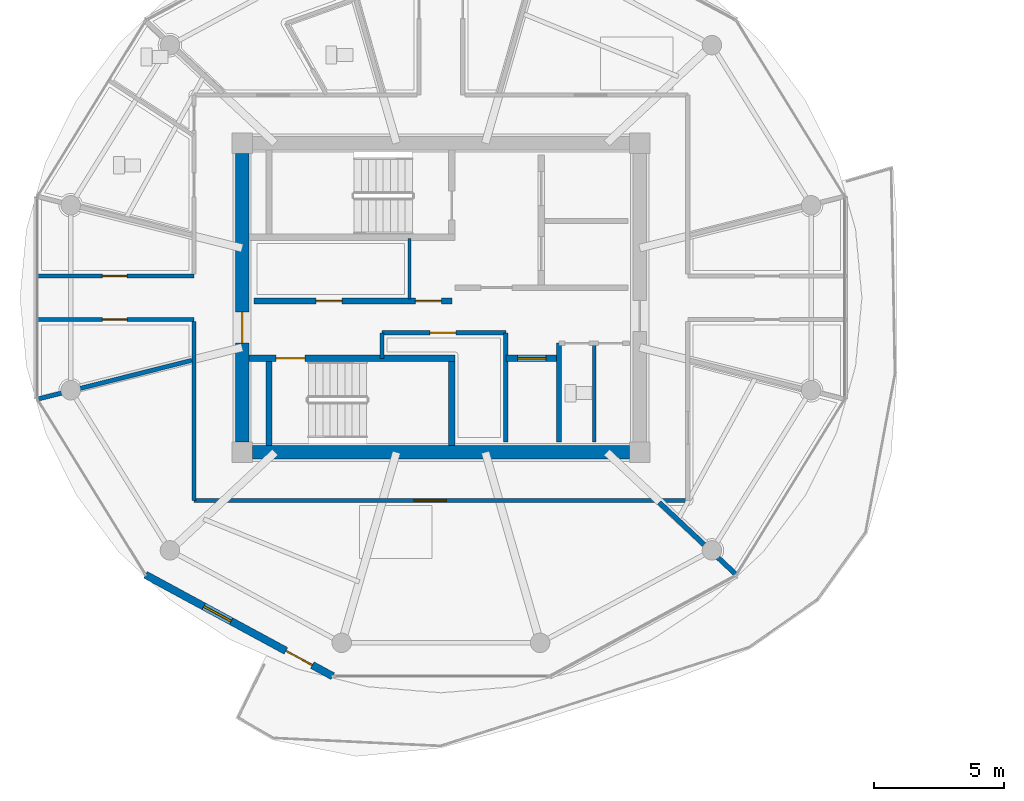
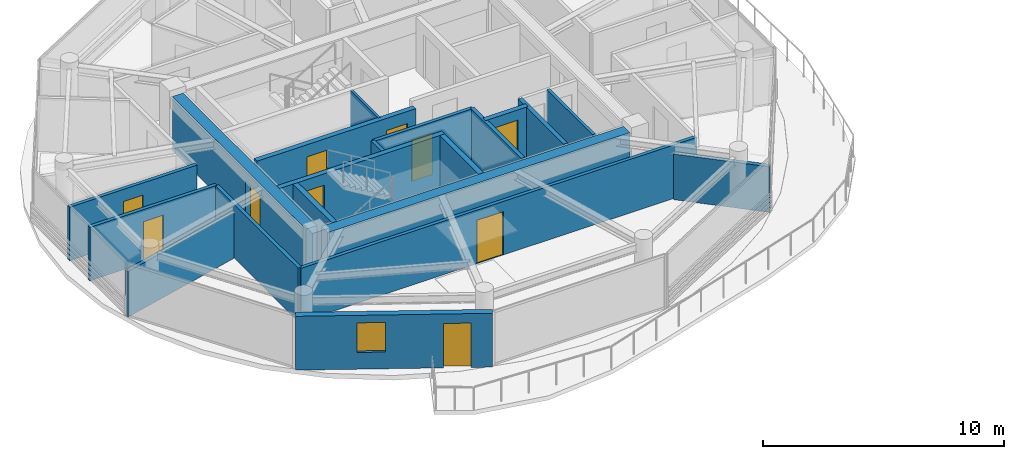
# One storey, part 9 of 21: 20 walls, 10 doors, 1 window, 11 openings.
"""IFC4 building model written with IfcOpenShell, lengths in metres."""

from ifc_helpers import new_model, si_unit, direction, frame, frame_2d, origin, place, context, subcontext, project, spatial, rectangle, extrude, source, transform, mapped, material, layer, layer_set, type_object, type_shapes, element, fill, save


model = new_model("IFC4")

# Units and contexts
model_context = context("Model", 3, precision=1e-05, world=origin(), true_north=direction((0.0, 1.0)))
body_context = subcontext(model_context, "Body", "Model", "MODEL_VIEW")
ifc_project = project(units=[si_unit("LENGTHUNIT", "METRE"), si_unit("AREAUNIT", "SQUARE_METRE"), si_unit("VOLUMEUNIT", "CUBIC_METRE"), si_unit("PLANEANGLEUNIT", "RADIAN"), si_unit("MASSUNIT", "GRAM", prefix="KILO")], contexts=[model_context])

# Site, building, storey
site_placement = place(None, origin())
site = spatial("IfcSite", under=ifc_project, at=site_placement, CompositionType="ELEMENT")
building_placement = place(site_placement, origin())
building = spatial("IfcBuilding", under=site, at=building_placement, Name="Norrkilde Senior Care Towers", CompositionType="ELEMENT")
storey_placement = place(building_placement, frame((0.0, 0.0, 241.35009765625)))
storey = spatial("IfcBuildingStorey", under=building, at=storey_placement, Name="L75", CompositionType="ELEMENT", Elevation=241.35009765625)

# Wall
ifc_material_1 = material(Name="Concrete C50/60", Category="concrete")
ifc_layer_1 = layer(ifc_material_1, 0.52001953125)
ifc_layer_set_1 = layer_set([ifc_layer_1], Name="Concrete C50/60")
wall_type_1 = type_object("IfcWallType", Name="Core Shear Wall Z4 520", PredefinedType="SHEAR", material=ifc_layer_set_1)
shared_shape_1 = source(origin(), body_context, "Body", "SweptSolid", [
    extrude(rectangle(XDim=14.5, YDim=0.52001953125, at=frame_2d((7.25, 0.0))), origin(), (0.0, 0.0, 1.0), 2.72998046875),
])
wall_1_placement = place(storey_placement, frame((-20.75, -5.949951171875, 0.0), z_axis=(0.0, 0.0, 1.0), x_axis=(-1.0, 0.0, 0.0)))
element("IfcWall", 1, at=wall_1_placement, inside=storey, type_object=wall_type_1, Name="L75 Core W South Shear Wall", PredefinedType="SHEAR", context=body_context, shape_type="MappedRepresentation", body=[
    mapped(shared_shape_1, transform((0.0, 0.0, 0.0), x_axis=(1.0, 0.0, 0.0), y_axis=(0.0, 1.0, 0.0), z_axis=(0.0, 0.0, 1.0), scale=1.0)),
])

# Wall, opening, door
shared_shape_2 = source(origin(), body_context, "Body", "SweptSolid", [
    extrude(rectangle(XDim=11.10009765625, YDim=0.52001953125, at=frame_2d((5.550048828125, 0.0))), origin(), (0.0, 0.0, 1.0), 2.72998046875),
])
type_shapes(wall_type_1, [shared_shape_1, shared_shape_2])
wall_2_placement = place(storey_placement, frame((-35.64990234375, -5.550048828125, 0.0), z_axis=(0.0, 0.0, 1.0), x_axis=(0.0, 1.0, 0.0)))
wall_2 = element("IfcWall", 2, at=wall_2_placement, inside=storey, type_object=wall_type_1, Name="L75 Core W West Shear Wall", PredefinedType="SHEAR", context=body_context, shape_type="MappedRepresentation", body=[
    mapped(shared_shape_2, transform((0.0, 0.0, 0.0), x_axis=(1.0, 0.0, 0.0), y_axis=(0.0, 1.0, 0.0), z_axis=(0.0, 0.0, 1.0), scale=1.0)),
])
opening_1_placement = place(wall_2_placement, frame((3.800048828125, 0.0, 0.0)))
opening_1 = element("IfcOpeningElement", 3, at=opening_1_placement, cuts=wall_2, Name="Opening D-04", PredefinedType="OPENING", context=body_context, shape_type="SweptSolid", body=[
    extrude(rectangle(XDim=1.199951171875, YDim=2.14990234375, at=frame_2d((0.60009765625, 1.074951171875))), frame((0.0, 0.27001953125, 0.0), z_axis=(0.0, -1.0, 0.0), x_axis=(1.0, 0.0, 0.0)), (0.0, 0.0, 1.0), 0.5400390625),
])
ifc_material_2 = material(Name="Galvanised Painted Steel", Category="steel")
door_type_1 = type_object("IfcDoorType", Name="Firefighting Lobby Fire Door 1200x2150", OperationType="NOTDEFINED", PredefinedType="DOOR", material=ifc_material_2)
shared_shape_3 = source(origin(), body_context, "Body", "SweptSolid", [
    extrude(rectangle(XDim=1.199951171875, YDim=2.14990234375, at=frame_2d((0.60009765625, 1.074951171875))), frame((0.0, 0.02490234375, 0.0), z_axis=(0.0, -1.0, 0.0), x_axis=(1.0, 0.0, 0.0)), (0.0, 0.0, 1.0), 0.050048828125),
])
type_shapes(door_type_1, [shared_shape_3])
door_1_placement = place(opening_1_placement, frame((1.199951171875, 0.0, 0.0), z_axis=(0.0, 0.0, 1.0), x_axis=(-1.0, 0.0, 0.0)))
door_1 = element("IfcDoor", 4, at=door_1_placement, inside=storey, type_object=door_type_1, Name="L75 Core W West Portal Door", OperationType="SINGLE_SWING_LEFT", OverallHeight=2.14990234375, OverallWidth=1.199951171875, PredefinedType="DOOR", context=body_context, shape_type="MappedRepresentation", body=[
    mapped(shared_shape_3, transform((0.0, 0.0, 0.0), x_axis=(1.0, 0.0, 0.0), y_axis=(0.0, 1.0, 0.0), z_axis=(0.0, 0.0, 1.0), scale=1.0)),
])
fill(opening_1, door_1)

# Wall, openings, door, window
ifc_material_3 = material(Name="Precast concrete C45/55", Category="concrete")
ifc_layer_2 = layer(ifc_material_3, 0.2900390625)
ifc_layer_set_2 = layer_set([ifc_layer_2], Name="Precast concrete C45/55")
wall_type_2 = type_object("IfcWallType", Name="Winter Garden Facade Wall 290", PredefinedType="SOLIDWALL", material=ifc_layer_set_2)
shared_shape_4 = source(origin(), body_context, "Body", "SweptSolid", [
    extrude(rectangle(XDim=8.197265625, YDim=0.2900390625, at=frame_2d((4.0986328125, 0.0))), origin(), (0.0, 0.0, 1.0), 2.72998046875),
])
type_shapes(wall_type_2, [shared_shape_4])
wall_3_placement = place(storey_placement, frame((-32.161865234375, -14.566162109375, 0.0), z_axis=(0.0, 0.0, 1.0), x_axis=(-0.879369910001, 0.476139224791, 0.0)))
wall_3 = element("IfcWall", 5, at=wall_3_placement, inside=storey, type_object=wall_type_2, Name="L75 Drum W Balcony Access Wall 07", PredefinedType="SOLIDWALL", context=body_context, shape_type="MappedRepresentation", body=[
    mapped(shared_shape_4, transform((0.0, 0.0, 0.0), x_axis=(1.0, 0.0, 0.0), y_axis=(0.0, 1.0, 0.0), z_axis=(0.0, 0.0, 1.0), scale=1.0)),
])
opening_2_placement = place(wall_3_placement, frame((0.89990234375, 0.0, 0.0)))
opening_2 = element("IfcOpeningElement", 6, at=opening_2_placement, cuts=wall_3, Name="Opening D-09", PredefinedType="OPENING", context=body_context, shape_type="SweptSolid", body=[
    extrude(rectangle(XDim=1.14990234375, YDim=2.25, at=frame_2d((0.574951171875, 1.125))), frame((0.0, 0.155029296875, 0.0), z_axis=(0.0, -1.0, 0.0), x_axis=(1.0, 0.0, 0.0)), (0.0, 0.0, 1.0), 0.31005859375),
])
opening_3_placement = place(wall_3_placement, frame((4.448486328125, 0.0, 0.85009765625)))
opening_3 = element("IfcOpeningElement", 7, at=opening_3_placement, cuts=wall_3, Name="Opening WN-07", PredefinedType="OPENING", context=body_context, shape_type="SweptSolid", body=[
    extrude(rectangle(XDim=1.199951171875, YDim=1.5, at=frame_2d((0.60009765625, 0.75))), frame((0.0, 0.155029296875, 0.0), z_axis=(0.0, -1.0, 0.0), x_axis=(1.0, 0.0, 0.0)), (0.0, 0.0, 1.0), 0.31005859375),
])
ifc_material_4 = material(Name="Anodised Aluminium", Category="aluminium")
door_type_2 = type_object("IfcDoorType", Name="Terrace and Balcony Glazed Door 1150x2250", OperationType="NOTDEFINED", PredefinedType="DOOR", material=ifc_material_4)
shared_shape_5 = source(origin(), body_context, "Body", "SweptSolid", [
    extrude(rectangle(XDim=1.14990234375, YDim=2.25, at=frame_2d((0.574951171875, 1.125))), frame((0.0, 0.02490234375, 0.0), z_axis=(0.0, -1.0, 0.0), x_axis=(1.0, 0.0, 0.0)), (0.0, 0.0, 1.0), 0.050048828125),
])
type_shapes(door_type_2, [shared_shape_5])
door_2_placement = place(opening_2_placement, origin())
door_2 = element("IfcDoor", 8, at=door_2_placement, inside=storey, type_object=door_type_2, Name="L75 Drum W Outdoor Terrace Door 07", OperationType="SINGLE_SWING_RIGHT", OverallHeight=2.25, OverallWidth=1.14990234375, PredefinedType="DOOR", context=body_context, shape_type="MappedRepresentation", body=[
    mapped(shared_shape_5, transform((0.0, 0.0, 0.0), x_axis=(1.0, 0.0, 0.0), y_axis=(0.0, 1.0, 0.0), z_axis=(0.0, 0.0, 1.0), scale=1.0)),
])
fill(opening_2, door_2)
ifc_material_5 = material(Name="Triple Low-E Insulated Glazing", Category="glass")
window_type = type_object("IfcWindowType", Name="Stairwell Smoke Vent Window 1200x1500", PartitioningType="SINGLE_PANEL", PredefinedType="WINDOW", material=ifc_material_5)
shared_shape_6 = source(origin(), body_context, "Body", "SweptSolid", [
    extrude(rectangle(XDim=1.199951171875, YDim=1.5, at=frame_2d((0.60009765625, 0.75))), frame((0.0, 0.030029296875, 0.0), z_axis=(0.0, -1.0, 0.0), x_axis=(1.0, 0.0, 0.0)), (0.0, 0.0, 1.0), 0.06005859375),
])
type_shapes(window_type, [shared_shape_6])
window_placement = place(opening_3_placement, origin())
window = element("IfcWindow", 9, at=window_placement, inside=storey, type_object=window_type, Name="L75 Drum W Winter Garden Window 07", OverallHeight=1.5, OverallWidth=1.199951171875, PartitioningType="SINGLE_PANEL", PredefinedType="WINDOW", context=body_context, shape_type="MappedRepresentation", body=[
    mapped(shared_shape_6, transform((0.0, 0.0, 0.0), x_axis=(1.0, 0.0, 0.0), y_axis=(0.0, 1.0, 0.0), z_axis=(0.0, 0.0, 1.0), scale=1.0)),
])
fill(opening_3, window)

# Wall, openings, doors
ifc_material_6 = material(Name="Concrete C45/55", Category="concrete")
ifc_layer_3 = layer(ifc_material_6, 0.239990234375)
ifc_layer_set_3 = layer_set([ifc_layer_3], Name="Concrete C45/55")
wall_type_3 = type_object("IfcWallType", Name="Lift and Plant Rated Enclosure Partition 240", PredefinedType="PARTITIONING", material=ifc_layer_set_3)
shared_shape_7 = source(origin(), body_context, "Body", "SweptSolid", [
    extrude(rectangle(XDim=7.619873046875, YDim=0.239990234375, at=frame_2d((3.81005859375, 0.0))), origin(), (0.0, 0.0, 1.0), 2.71484375),
])
wall_4_placement = place(storey_placement, frame((-35.199951171875, -0.1298828125, 0.0), z_axis=(0.0, 0.0, 1.0), x_axis=(1.0, 0.0, 0.0)))
wall_4 = element("IfcWall", 10, at=wall_4_placement, inside=storey, type_object=wall_type_3, Name="WL-INT-L75-W-PKAS", PredefinedType="PARTITIONING", context=body_context, shape_type="MappedRepresentation", body=[
    mapped(shared_shape_7, transform((0.0, 0.0, 0.0), x_axis=(1.0, 0.0, 0.0), y_axis=(0.0, 1.0, 0.0), z_axis=(0.0, 0.0, 1.0), scale=1.0)),
])
opening_4_placement = place(wall_4_placement, frame((6.219970703125, 0.0, 0.0)))
opening_4 = element("IfcOpeningElement", 11, at=opening_4_placement, cuts=wall_4, Name="Opening D-10", PredefinedType="OPENING", context=body_context, shape_type="SweptSolid", body=[
    extrude(rectangle(XDim=1.0, YDim=2.10009765625, at=frame_2d((0.5, 1.050048828125))), frame((0.0, 0.1298828125, 0.0), z_axis=(0.0, -1.0, 0.0), x_axis=(1.0, 0.0, 0.0)), (0.0, 0.0, 1.0), 0.260009765625),
])
opening_5_placement = place(wall_4_placement, frame((2.39990234375, 0.0, 0.0)))
opening_5 = element("IfcOpeningElement", 12, at=opening_5_placement, cuts=wall_4, Name="Opening D-10", PredefinedType="OPENING", context=body_context, shape_type="SweptSolid", body=[
    extrude(rectangle(XDim=1.0, YDim=2.10009765625, at=frame_2d((0.5, 1.050048828125))), frame((0.0, 0.1298828125, 0.0), z_axis=(0.0, -1.0, 0.0), x_axis=(1.0, 0.0, 0.0)), (0.0, 0.0, 1.0), 0.260009765625),
])
door_type_3 = type_object("IfcDoorType", Name="Plant and Riser Rated Door 1000x2100", OperationType="NOTDEFINED", PredefinedType="DOOR", material=ifc_material_2)
shared_shape_8 = source(origin(), body_context, "Body", "SweptSolid", [
    extrude(rectangle(XDim=1.0, YDim=2.10009765625, at=frame_2d((0.5, 1.050048828125))), frame((0.0, 0.02490234375, 0.0), z_axis=(0.0, -1.0, 0.0), x_axis=(1.0, 0.0, 0.0)), (0.0, 0.0, 1.0), 0.050048828125),
])
type_shapes(door_type_3, [shared_shape_8])
door_3_placement = place(opening_4_placement, frame((1.0, 0.0, 0.0), z_axis=(0.0, 0.0, 1.0), x_axis=(-1.0, 0.0, 0.0)))
door_3 = element("IfcDoor", 13, at=door_3_placement, inside=storey, type_object=door_type_3, Name="L75 Electrical Riser W Door", OperationType="SINGLE_SWING_LEFT", OverallHeight=2.10009765625, OverallWidth=1.0, PredefinedType="DOOR", context=body_context, shape_type="MappedRepresentation", body=[
    mapped(shared_shape_8, transform((0.0, 0.0, 0.0), x_axis=(1.0, 0.0, 0.0), y_axis=(0.0, 1.0, 0.0), z_axis=(0.0, 0.0, 1.0), scale=1.0)),
])
fill(opening_4, door_3)
door_4_placement = place(opening_5_placement, frame((1.0, 0.0, 0.0), z_axis=(0.0, 0.0, 1.0), x_axis=(-1.0, 0.0, 0.0)))
door_4 = element("IfcDoor", 14, at=door_4_placement, inside=storey, type_object=door_type_3, Name="L75 Clean Supply Store W Door", OperationType="SINGLE_SWING_LEFT", OverallHeight=2.10009765625, OverallWidth=1.0, PredefinedType="DOOR", context=body_context, shape_type="MappedRepresentation", body=[
    mapped(shared_shape_8, transform((0.0, 0.0, 0.0), x_axis=(1.0, 0.0, 0.0), y_axis=(0.0, 1.0, 0.0), z_axis=(0.0, 0.0, 1.0), scale=1.0)),
])
fill(opening_5, door_4)

# Walls
ifc_material_7 = material(Name="Gypsum Acoustic Board")
ifc_layer_4 = layer(ifc_material_7, 0.114990234375)
ifc_layer_set_4 = layer_set([ifc_layer_4], Name="Gypsum Acoustic Board")
wall_type_4 = type_object("IfcWallType", Name="Internal Room Partition 115", PredefinedType="PARTITIONING", material=ifc_layer_set_4)
shared_shape_9 = source(origin(), body_context, "Body", "SweptSolid", [
    extrude(rectangle(XDim=2.330078125, YDim=0.114990234375, at=frame_2d((1.1650390625, 0.0))), origin(), (0.0, 0.0, 1.0), 2.71484375),
])
type_shapes(wall_type_4, [shared_shape_9])
wall_5_placement = place(storey_placement, frame((-29.2099609375, -0.050048828125, 0.0), z_axis=(0.0, 0.0, 1.0), x_axis=(0.0, 1.0, 0.0)))
element("IfcWall", 15, at=wall_5_placement, inside=storey, type_object=wall_type_4, Name="WL-INT-L75-W-RISW", PredefinedType="PARTITIONING", context=body_context, shape_type="MappedRepresentation", body=[
    mapped(shared_shape_9, transform((0.0, 0.0, 0.0), x_axis=(1.0, 0.0, 0.0), y_axis=(0.0, 1.0, 0.0), z_axis=(0.0, 0.0, 1.0), scale=1.0)),
])
ifc_layer_5 = layer(ifc_material_6, 0.199951171875)
ifc_layer_set_5 = layer_set([ifc_layer_5], Name="Concrete C45/55")
wall_type_5 = type_object("IfcWallType", Name="Shaft Division and Plant Partition 200", PredefinedType="PARTITIONING", material=ifc_layer_set_5)
shared_shape_10 = source(origin(), body_context, "Body", "SweptSolid", [
    extrude(rectangle(XDim=3.800048828125, YDim=0.199951171875, at=frame_2d((1.89990234375, 0.0))), origin(), (0.0, 0.0, 1.0), 2.71484375),
])
type_shapes(wall_type_5, [shared_shape_10])
wall_6_placement = place(storey_placement, frame((-23.449951171875, -5.550048828125, 0.0), z_axis=(0.0, 0.0, 1.0), x_axis=(0.0, 1.0, 0.0)))
element("IfcWall", 16, at=wall_6_placement, inside=storey, type_object=wall_type_5, Name="WL-INT-L75-W-PKBE", PredefinedType="PARTITIONING", context=body_context, shape_type="MappedRepresentation", body=[
    mapped(shared_shape_10, transform((0.0, 0.0, 0.0), x_axis=(1.0, 0.0, 0.0), y_axis=(0.0, 1.0, 0.0), z_axis=(0.0, 0.0, 1.0), scale=1.0)),
])

# Wall, opening, door
shared_shape_11 = source(origin(), body_context, "Body", "SweptSolid", [
    extrude(rectangle(XDim=2.050048828125, YDim=0.239990234375, at=frame_2d((1.02490234375, 0.0))), origin(), (0.0, 0.0, 1.0), 2.71484375),
])
type_shapes(wall_type_3, [shared_shape_7, shared_shape_11])
wall_7_placement = place(storey_placement, frame((-25.5, -2.330078125, 0.0), z_axis=(0.0, 0.0, 1.0), x_axis=(1.0, 0.0, 0.0)))
wall_7 = element("IfcWall", 17, at=wall_7_placement, inside=storey, type_object=wall_type_3, Name="WL-INT-L75-W-PL4N", PredefinedType="PARTITIONING", context=body_context, shape_type="MappedRepresentation", body=[
    mapped(shared_shape_11, transform((0.0, 0.0, 0.0), x_axis=(1.0, 0.0, 0.0), y_axis=(0.0, 1.0, 0.0), z_axis=(0.0, 0.0, 1.0), scale=1.0)),
])
opening_6_placement = place(wall_7_placement, frame((0.449951171875, 0.0, 0.0)))
opening_6 = element("IfcOpeningElement", 18, at=opening_6_placement, cuts=wall_7, Name="Opening LD-01", PredefinedType="OPENING", context=body_context, shape_type="SweptSolid", body=[
    extrude(rectangle(XDim=1.10009765625, YDim=2.199951171875, at=frame_2d((0.550048828125, 1.10009765625))), frame((0.0, 0.1298828125, 0.0), z_axis=(0.0, -1.0, 0.0), x_axis=(1.0, 0.0, 0.0)), (0.0, 0.0, 1.0), 0.260009765625),
])
ifc_material_8 = material(Name="Stainless Steel", Category="steel")
door_type_4 = type_object("IfcDoorType", Name="Lift Landing Sliding Door 1100x2200", OperationType="NOTDEFINED", PredefinedType="DOOR", material=ifc_material_8)
shared_shape_12 = source(origin(), body_context, "Body", "SweptSolid", [
    extrude(rectangle(XDim=1.10009765625, YDim=2.199951171875, at=frame_2d((0.550048828125, 1.10009765625))), frame((0.0, 0.02490234375, 0.0), z_axis=(0.0, -1.0, 0.0), x_axis=(1.0, 0.0, 0.0)), (0.0, 0.0, 1.0), 0.050048828125),
])
type_shapes(door_type_4, [shared_shape_12])
door_5_placement = place(opening_6_placement, frame((1.10009765625, 0.0, 0.0), z_axis=(0.0, 0.0, 1.0), x_axis=(-1.0, 0.0, 0.0)))
door_5 = element("IfcDoor", 19, at=door_5_placement, inside=storey, type_object=door_type_4, Name="L75 Passenger Lift W4 Landing Door", OperationType="SLIDING_TO_RIGHT", OverallHeight=2.199951171875, OverallWidth=1.10009765625, PredefinedType="DOOR", context=body_context, shape_type="MappedRepresentation", body=[
    mapped(shared_shape_12, transform((0.0, 0.0, 0.0), x_axis=(1.0, 0.0, 0.0), y_axis=(0.0, 1.0, 0.0), z_axis=(0.0, 0.0, 1.0), scale=1.0)),
])
fill(opening_6, door_5)

# Wall
ifc_layer_6 = layer(ifc_material_6, 0.179931640625)
ifc_layer_set_6 = layer_set([ifc_layer_6], Name="Concrete C45/55")
wall_type_6 = type_object("IfcWallType", Name="Hoistway Division Rated Partition 180", PredefinedType="PARTITIONING", material=ifc_layer_set_6)
shared_shape_13 = source(origin(), body_context, "Body", "SweptSolid", [
    extrude(rectangle(XDim=4.199951171875, YDim=0.179931640625, at=frame_2d((2.10009765625, 0.0))), origin(), (0.0, 0.0, 1.0), 2.71484375),
])
type_shapes(wall_type_6, [shared_shape_13])
wall_8_placement = place(storey_placement, frame((-25.5, -5.550048828125, 0.0), z_axis=(0.0, 0.0, 1.0), x_axis=(0.0, 1.0, 0.0)))
element("IfcWall", 20, at=wall_8_placement, inside=storey, type_object=wall_type_6, Name="WL-INT-L75-W-PL4W", PredefinedType="PARTITIONING", context=body_context, shape_type="MappedRepresentation", body=[
    mapped(shared_shape_13, transform((0.0, 0.0, 0.0), x_axis=(1.0, 0.0, 0.0), y_axis=(0.0, 1.0, 0.0), z_axis=(0.0, 0.0, 1.0), scale=1.0)),
])

# Wall, opening, door
ifc_layer_7 = layer(ifc_material_7, 0.1650390625)
ifc_layer_set_7 = layer_set([ifc_layer_7], Name="Gypsum Acoustic Board")
wall_type_7 = type_object("IfcWallType", Name="Corridor Rated Partition 165", PredefinedType="PARTITIONING", material=ifc_layer_set_7)
shared_shape_14 = source(origin(), body_context, "Body", "SweptSolid", [
    extrude(rectangle(XDim=4.77001953125, YDim=0.1650390625, at=frame_2d((2.385009765625, 0.0))), origin(), (0.0, 0.0, 1.0), 2.71484375),
])
wall_9_placement = place(storey_placement, frame((-30.27001953125, -1.35009765625, 0.0), z_axis=(0.0, 0.0, 1.0), x_axis=(1.0, 0.0, 0.0)))
wall_9 = element("IfcWall", 21, at=wall_9_placement, inside=storey, type_object=wall_type_7, Name="WL-INT-L75-W-FR2N", PredefinedType="PARTITIONING", context=body_context, shape_type="MappedRepresentation", body=[
    mapped(shared_shape_14, transform((0.0, 0.0, 0.0), x_axis=(1.0, 0.0, 0.0), y_axis=(0.0, 1.0, 0.0), z_axis=(0.0, 0.0, 1.0), scale=1.0)),
])
opening_7_placement = place(wall_9_placement, frame((1.85009765625, 0.0, 0.0)))
opening_7 = element("IfcOpeningElement", 22, at=opening_7_placement, cuts=wall_9, Name="Opening D-10", PredefinedType="OPENING", context=body_context, shape_type="SweptSolid", body=[
    extrude(rectangle(XDim=1.0, YDim=2.10009765625, at=frame_2d((0.5, 1.050048828125))), frame((0.0, 0.092529296875, 0.0), z_axis=(0.0, -1.0, 0.0), x_axis=(1.0, 0.0, 0.0)), (0.0, 0.0, 1.0), 0.18505859375),
])
door_6_placement = place(opening_7_placement, origin())
door_6 = element("IfcDoor", 23, at=door_6_placement, inside=storey, type_object=door_type_3, Name="L75 Core Pantry W Door", OperationType="SINGLE_SWING_RIGHT", OverallHeight=2.10009765625, OverallWidth=1.0, PredefinedType="DOOR", context=body_context, shape_type="MappedRepresentation", body=[
    mapped(shared_shape_8, transform((0.0, 0.0, 0.0), x_axis=(1.0, 0.0, 0.0), y_axis=(0.0, 1.0, 0.0), z_axis=(0.0, 0.0, 1.0), scale=1.0)),
])
fill(opening_7, door_6)

# Walls
shared_shape_15 = source(origin(), body_context, "Body", "SweptSolid", [
    extrude(rectangle(XDim=0.97998046875, YDim=0.1650390625, at=frame_2d((0.489990234375, 0.0))), origin(), (0.0, 0.0, 1.0), 2.71484375),
])
wall_10_placement = place(storey_placement, frame((-30.27001953125, -2.330078125, 0.0), z_axis=(0.0, 0.0, 1.0), x_axis=(0.0, 1.0, 0.0)))
element("IfcWall", 24, at=wall_10_placement, inside=storey, type_object=wall_type_7, Name="WL-INT-L75-W-FR2W", PredefinedType="PARTITIONING", context=body_context, shape_type="MappedRepresentation", body=[
    mapped(shared_shape_15, transform((0.0, 0.0, 0.0), x_axis=(1.0, 0.0, 0.0), y_axis=(0.0, 1.0, 0.0), z_axis=(0.0, 0.0, 1.0), scale=1.0)),
])
ifc_layer_8 = layer(ifc_material_7, 0.139892578125)
ifc_layer_set_8 = layer_set([ifc_layer_8], Name="Gypsum Acoustic Board")
wall_type_8 = type_object("IfcWallType", Name="En-suite Wet Room Wall 140", PredefinedType="PARTITIONING", material=ifc_layer_set_8)
shared_shape_16 = source(origin(), body_context, "Body", "SweptSolid", [
    extrude(rectangle(XDim=3.800048828125, YDim=0.139892578125, at=frame_2d((1.89990234375, 0.0))), origin(), (0.0, 0.0, 1.0), 2.71484375),
])
type_shapes(wall_type_8, [shared_shape_16])
wall_11_placement = place(storey_placement, frame((-22.10009765625, -5.550048828125, 0.0), z_axis=(0.0, 0.0, 1.0), x_axis=(0.0, 1.0, 0.0)))
element("IfcWall", 25, at=wall_11_placement, inside=storey, type_object=wall_type_8, Name="WL-INT-L75-W-CS1V", PredefinedType="PARTITIONING", context=body_context, shape_type="MappedRepresentation", body=[
    mapped(shared_shape_16, transform((0.0, 0.0, 0.0), x_axis=(1.0, 0.0, 0.0), y_axis=(0.0, 1.0, 0.0), z_axis=(0.0, 0.0, 1.0), scale=1.0)),
])

# Wall, opening, door
shared_shape_17 = source(origin(), body_context, "Body", "SweptSolid", [
    extrude(rectangle(XDim=19.0, YDim=0.1650390625, at=frame_2d((9.5, 0.0))), origin(), (0.0, 0.0, 1.0), 2.71484375),
])
wall_12_placement = place(storey_placement, frame((-18.5, -7.800048828125, 0.0), z_axis=(0.0, 0.0, 1.0), x_axis=(-1.0, 0.0, 0.0)))
wall_12 = element("IfcWall", 26, at=wall_12_placement, inside=storey, type_object=wall_type_7, Name="WL-INT-L75-W-CRW-S-0", PredefinedType="PARTITIONING", context=body_context, shape_type="MappedRepresentation", body=[
    mapped(shared_shape_17, transform((0.0, 0.0, 0.0), x_axis=(1.0, 0.0, 0.0), y_axis=(0.0, 1.0, 0.0), z_axis=(0.0, 0.0, 1.0), scale=1.0)),
])
opening_8_placement = place(wall_12_placement, frame((9.292236328125, 0.0, 0.0)))
opening_8 = element("IfcOpeningElement", 27, at=opening_8_placement, cuts=wall_12, Name="Opening D-05", PredefinedType="OPENING", context=body_context, shape_type="SweptSolid", body=[
    extrude(rectangle(XDim=1.25, YDim=2.199951171875, at=frame_2d((0.625, 1.10009765625))), frame((0.0, 0.092529296875, 0.0), z_axis=(0.0, -1.0, 0.0), x_axis=(1.0, 0.0, 0.0)), (0.0, 0.0, 1.0), 0.18505859375),
])
ifc_material_9 = material(Name="Nordic Ash Timber", Category="wood")
door_type_5 = type_object("IfcDoorType", Name="Care Bedroom Bariatric Door 1250x2200", OperationType="NOTDEFINED", PredefinedType="DOOR", material=ifc_material_9)
shared_shape_18 = source(origin(), body_context, "Body", "SweptSolid", [
    extrude(rectangle(XDim=1.25, YDim=2.199951171875, at=frame_2d((0.625, 1.10009765625))), frame((0.0, 0.02490234375, 0.0), z_axis=(0.0, -1.0, 0.0), x_axis=(1.0, 0.0, 0.0)), (0.0, 0.0, 1.0), 0.050048828125),
])
type_shapes(door_type_5, [shared_shape_18])
door_7_placement = place(opening_8_placement, frame((1.25, 0.0, 0.0), z_axis=(0.0, 0.0, 1.0), x_axis=(-1.0, 0.0, 0.0)))
door_7 = element("IfcDoor", 28, at=door_7_placement, inside=storey, type_object=door_type_5, Name="L75 Household Communal Dining Salon Door", OperationType="SINGLE_SWING_LEFT", OverallHeight=2.199951171875, OverallWidth=1.25, PredefinedType="DOOR", context=body_context, shape_type="MappedRepresentation", body=[
    mapped(shared_shape_18, transform((0.0, 0.0, 0.0), x_axis=(1.0, 0.0, 0.0), y_axis=(0.0, 1.0, 0.0), z_axis=(0.0, 0.0, 1.0), scale=1.0)),
])
fill(opening_8, door_7)

# Wall
shared_shape_19 = source(origin(), body_context, "Body", "SweptSolid", [
    extrude(rectangle(XDim=6.880126953125, YDim=0.1650390625, at=frame_2d((3.43994140625, 0.0))), origin(), (0.0, 0.0, 1.0), 2.71484375),
])
wall_13_placement = place(storey_placement, frame((-37.5, -7.800048828125, 0.0), z_axis=(0.0, 0.0, 1.0), x_axis=(0.0, 1.0, 0.0)))
element("IfcWall", 29, at=wall_13_placement, inside=storey, type_object=wall_type_7, Name="WL-INT-L75-W-CRW-W-0", PredefinedType="PARTITIONING", context=body_context, shape_type="MappedRepresentation", body=[
    mapped(shared_shape_19, transform((0.0, 0.0, 0.0), x_axis=(1.0, 0.0, 0.0), y_axis=(0.0, 1.0, 0.0), z_axis=(0.0, 0.0, 1.0), scale=1.0)),
])

# Wall, opening, door
ifc_layer_9 = layer(ifc_material_6, 0.239990234375)
ifc_layer_set_9 = layer_set([ifc_layer_9], Name="Concrete C45/55")
wall_type_9 = type_object("IfcWallType", Name="Shaft and Stair Enclosure Wall 240", PredefinedType="PARTITIONING", material=ifc_layer_set_9)
shared_shape_20 = source(origin(), body_context, "Body", "SweptSolid", [
    extrude(rectangle(XDim=7.929931640625, YDim=0.239990234375, at=frame_2d((3.96484375, 0.0))), origin(), (0.0, 0.0, 1.0), 2.72998046875),
])
wall_14_placement = place(storey_placement, frame((-35.389892578125, -2.330078125, 0.0), z_axis=(0.0, 0.0, 1.0), x_axis=(1.0, 0.0, 0.0)))
wall_14 = element("IfcWall", 30, at=wall_14_placement, inside=storey, type_object=wall_type_9, Name="WL-INT-L75-W-ST2N", PredefinedType="PARTITIONING", context=body_context, shape_type="MappedRepresentation", body=[
    mapped(shared_shape_20, transform((0.0, 0.0, 0.0), x_axis=(1.0, 0.0, 0.0), y_axis=(0.0, 1.0, 0.0), z_axis=(0.0, 0.0, 1.0), scale=1.0)),
])
opening_9_placement = place(wall_14_placement, frame((1.050048828125, 0.0, 0.0)))
opening_9 = element("IfcOpeningElement", 31, at=opening_9_placement, cuts=wall_14, Name="Opening D-03", PredefinedType="OPENING", context=body_context, shape_type="SweptSolid", body=[
    extrude(rectangle(XDim=1.10009765625, YDim=2.14990234375, at=frame_2d((0.550048828125, 1.074951171875))), frame((0.0, 0.1298828125, 0.0), z_axis=(0.0, -1.0, 0.0), x_axis=(1.0, 0.0, 0.0)), (0.0, 0.0, 1.0), 0.260009765625),
])
door_type_6 = type_object("IfcDoorType", Name="Stairwell Protected Fire Door 1100x2150", OperationType="NOTDEFINED", PredefinedType="DOOR", material=ifc_material_2)
shared_shape_21 = source(origin(), body_context, "Body", "SweptSolid", [
    extrude(rectangle(XDim=1.10009765625, YDim=2.14990234375, at=frame_2d((0.550048828125, 1.074951171875))), frame((0.0, 0.02490234375, 0.0), z_axis=(0.0, -1.0, 0.0), x_axis=(1.0, 0.0, 0.0)), (0.0, 0.0, 1.0), 0.050048828125),
])
type_shapes(door_type_6, [shared_shape_21])
door_8_placement = place(opening_9_placement, frame((1.10009765625, 0.0, 0.0), z_axis=(0.0, 0.0, 1.0), x_axis=(-1.0, 0.0, 0.0)))
door_8 = element("IfcDoor", 32, at=door_8_placement, inside=storey, type_object=door_type_6, Name="L75 Stair W2 Fire Door", OperationType="SINGLE_SWING_RIGHT", OverallHeight=2.14990234375, OverallWidth=1.10009765625, PredefinedType="DOOR", context=body_context, shape_type="MappedRepresentation", body=[
    mapped(shared_shape_21, transform((0.0, 0.0, 0.0), x_axis=(1.0, 0.0, 0.0), y_axis=(0.0, 1.0, 0.0), z_axis=(0.0, 0.0, 1.0), scale=1.0)),
])
fill(opening_9, door_8)

# Walls
shared_shape_22 = source(origin(), body_context, "Body", "SweptSolid", [
    extrude(rectangle(XDim=3.239990234375, YDim=0.239990234375, at=frame_2d((1.6201171875, 0.0))), origin(), (0.0, 0.0, 1.0), 2.72998046875),
])
type_shapes(wall_type_9, [shared_shape_20, shared_shape_22])
for number, where, z_axis, x_axis, name in (
    (33, (-34.6201171875, -5.68994140625, 0.0), (0.0, 0.0, 1.0), (0.0, 1.0, 0.0), "WL-INT-L75-W-ST2W"),
    (34, (-27.580078125, -5.68994140625, 0.0), (0.0, 0.0, 1.0), (0.0, 1.0, 0.0), "WL-INT-L75-W-ST2E"),
):
    element("IfcWall", number, at=place(storey_placement, frame(where, z_axis=z_axis, x_axis=x_axis)), inside=storey, type_object=wall_type_9, Name=name, PredefinedType="PARTITIONING", context=body_context, shape_type="MappedRepresentation", body=[
        mapped(shared_shape_22, transform((0.0, 0.0, 0.0), x_axis=(1.0, 0.0, 0.0), y_axis=(0.0, 1.0, 0.0), z_axis=(0.0, 0.0, 1.0), scale=1.0)),
    ])
shared_shape_23 = source(origin(), body_context, "Body", "SweptSolid", [
    extrude(rectangle(XDim=6.1572265625, YDim=0.1650390625, at=frame_2d((3.07861328125, 0.0))), origin(), (0.0, 0.0, 1.0), 2.31494140625),
])
wall_15_placement = place(storey_placement, frame((-37.580078125, -2.407470703125, 0.0), z_axis=(0.0, 0.0, 1.0), x_axis=(-0.969840867184, -0.243738984038, 0.0)))
element("IfcWall", 35, at=wall_15_placement, inside=storey, type_object=wall_type_7, Name="WL-INT-L75-W-DEM-06-0", PredefinedType="PARTITIONING", context=body_context, shape_type="MappedRepresentation", body=[
    mapped(shared_shape_23, transform((0.0, 0.0, 0.0), x_axis=(1.0, 0.0, 0.0), y_axis=(0.0, 1.0, 0.0), z_axis=(0.0, 0.0, 1.0), scale=1.0)),
])

# Wall, opening, door
shared_shape_24 = source(origin(), body_context, "Body", "SweptSolid", [
    extrude(rectangle(XDim=6.101318359375, YDim=0.1650390625, at=frame_2d((3.05078125, 0.0))), origin(), (0.0, 0.0, 1.0), 2.71484375),
])
type_shapes(wall_type_7, [shared_shape_14, shared_shape_15, shared_shape_17, shared_shape_19, shared_shape_23, shared_shape_24])
wall_16_placement = place(storey_placement, frame((-43.601318359375, 0.840087890625, 0.0), z_axis=(0.0, 0.0, 1.0), x_axis=(1.0, 0.0, 0.0)))
wall_16 = element("IfcWall", 36, at=wall_16_placement, inside=storey, type_object=wall_type_7, Name="WL-INT-L75-W-SPK-W1-0", PredefinedType="PARTITIONING", context=body_context, shape_type="MappedRepresentation", body=[
    mapped(shared_shape_24, transform((0.0, 0.0, 0.0), x_axis=(1.0, 0.0, 0.0), y_axis=(0.0, 1.0, 0.0), z_axis=(0.0, 0.0, 1.0), scale=1.0)),
])
opening_10_placement = place(wall_16_placement, frame((2.57568359375, 0.0, 0.0)))
opening_10 = element("IfcOpeningElement", 37, at=opening_10_placement, cuts=wall_16, Name="Opening D-07", PredefinedType="OPENING", context=body_context, shape_type="SweptSolid", body=[
    extrude(rectangle(XDim=0.949951171875, YDim=2.10009765625, at=frame_2d((0.47509765625, 1.050048828125))), frame((0.0, 0.092529296875, 0.0), z_axis=(0.0, -1.0, 0.0), x_axis=(1.0, 0.0, 0.0)), (0.0, 0.0, 1.0), 0.18505859375),
])
door_type_7 = type_object("IfcDoorType", Name="Internal Suite Bedroom Door 950x2100", OperationType="NOTDEFINED", PredefinedType="DOOR", material=ifc_material_9)
shared_shape_25 = source(origin(), body_context, "Body", "SweptSolid", [
    extrude(rectangle(XDim=0.949951171875, YDim=2.10009765625, at=frame_2d((0.47509765625, 1.050048828125))), frame((0.0, 0.02490234375, 0.0), z_axis=(0.0, -1.0, 0.0), x_axis=(1.0, 0.0, 0.0)), (0.0, 0.0, 1.0), 0.050048828125),
])
type_shapes(door_type_7, [shared_shape_25])
door_9_placement = place(opening_10_placement, frame((0.949951171875, 0.0, 0.0), z_axis=(0.0, 0.0, 1.0), x_axis=(-1.0, 0.0, 0.0)))
door_9 = element("IfcDoor", 38, at=door_9_placement, inside=storey, type_object=door_type_7, Name="L75 Sun Reading Lounge 2 Door", OperationType="SINGLE_SWING_LEFT", OverallHeight=2.10009765625, OverallWidth=0.949951171875, PredefinedType="DOOR", context=body_context, shape_type="MappedRepresentation", body=[
    mapped(shared_shape_25, transform((0.0, 0.0, 0.0), x_axis=(1.0, 0.0, 0.0), y_axis=(0.0, 1.0, 0.0), z_axis=(0.0, 0.0, 1.0), scale=1.0)),
])
fill(opening_10, door_9)

wall_17_placement = place(storey_placement, frame((-37.5, -0.840087890625, 0.0), z_axis=(0.0, 0.0, 1.0), x_axis=(-1.0, 0.0, 0.0)))
wall_17 = element("IfcWall", 39, at=wall_17_placement, inside=storey, type_object=wall_type_7, Name="WL-INT-L75-W-SPK-W2-0", PredefinedType="PARTITIONING", context=body_context, shape_type="MappedRepresentation", body=[
    mapped(shared_shape_24, transform((0.0, 0.0, 0.0), x_axis=(1.0, 0.0, 0.0), y_axis=(0.0, 1.0, 0.0), z_axis=(0.0, 0.0, 1.0), scale=1.0)),
])
opening_11_placement = place(wall_17_placement, frame((2.57568359375, 0.0, 0.0)))
opening_11 = element("IfcOpeningElement", 40, at=opening_11_placement, cuts=wall_17, Name="Opening D-07", PredefinedType="OPENING", context=body_context, shape_type="SweptSolid", body=[
    extrude(rectangle(XDim=0.949951171875, YDim=2.10009765625, at=frame_2d((0.47509765625, 1.050048828125))), frame((0.0, 0.092529296875, 0.0), z_axis=(0.0, -1.0, 0.0), x_axis=(1.0, 0.0, 0.0)), (0.0, 0.0, 1.0), 0.18505859375),
])
door_10_placement = place(opening_11_placement, frame((0.949951171875, 0.0, 0.0), z_axis=(0.0, 0.0, 1.0), x_axis=(-1.0, 0.0, 0.0)))
door_10 = element("IfcDoor", 41, at=door_10_placement, inside=storey, type_object=door_type_7, Name="L75 Sun Reading Lounge 1 Door", OperationType="SINGLE_SWING_RIGHT", OverallHeight=2.10009765625, OverallWidth=0.949951171875, PredefinedType="DOOR", context=body_context, shape_type="MappedRepresentation", body=[
    mapped(shared_shape_25, transform((0.0, 0.0, 0.0), x_axis=(1.0, 0.0, 0.0), y_axis=(0.0, 1.0, 0.0), z_axis=(0.0, 0.0, 1.0), scale=1.0)),
])
fill(opening_11, door_10)

# Wall
ifc_layer_10 = layer(ifc_material_7, 0.18994140625)
ifc_layer_set_10 = layer_set([ifc_layer_10], Name="Gypsum Acoustic Board")
wall_type_10 = type_object("IfcWallType", Name="Unit Demising Acoustic Wall 190", PredefinedType="PARTITIONING", material=ifc_layer_set_10)
shared_shape_26 = source(origin(), body_context, "Body", "SweptSolid", [
    extrude(rectangle(XDim=4.089111328125, YDim=0.18994140625, at=frame_2d((2.04443359375, 0.0))), origin(), (0.0, 0.0, 1.0), 2.31494140625),
])
type_shapes(wall_type_10, [shared_shape_26])
wall_18_placement = place(storey_placement, frame((-19.59814453125, -7.8798828125, 0.0), z_axis=(0.0, 0.0, 1.0), x_axis=(0.729401273609, -0.684086092577, 0.0)))
element("IfcWall", 42, at=wall_18_placement, inside=storey, type_object=wall_type_10, Name="WL-INT-L75-W-DEM-10-0", PredefinedType="PARTITIONING", context=body_context, shape_type="MappedRepresentation", body=[
    mapped(shared_shape_26, transform((0.0, 0.0, 0.0), x_axis=(1.0, 0.0, 0.0), y_axis=(0.0, 1.0, 0.0), z_axis=(0.0, 0.0, 1.0), scale=1.0)),
])

save(model, "model.ifc")
